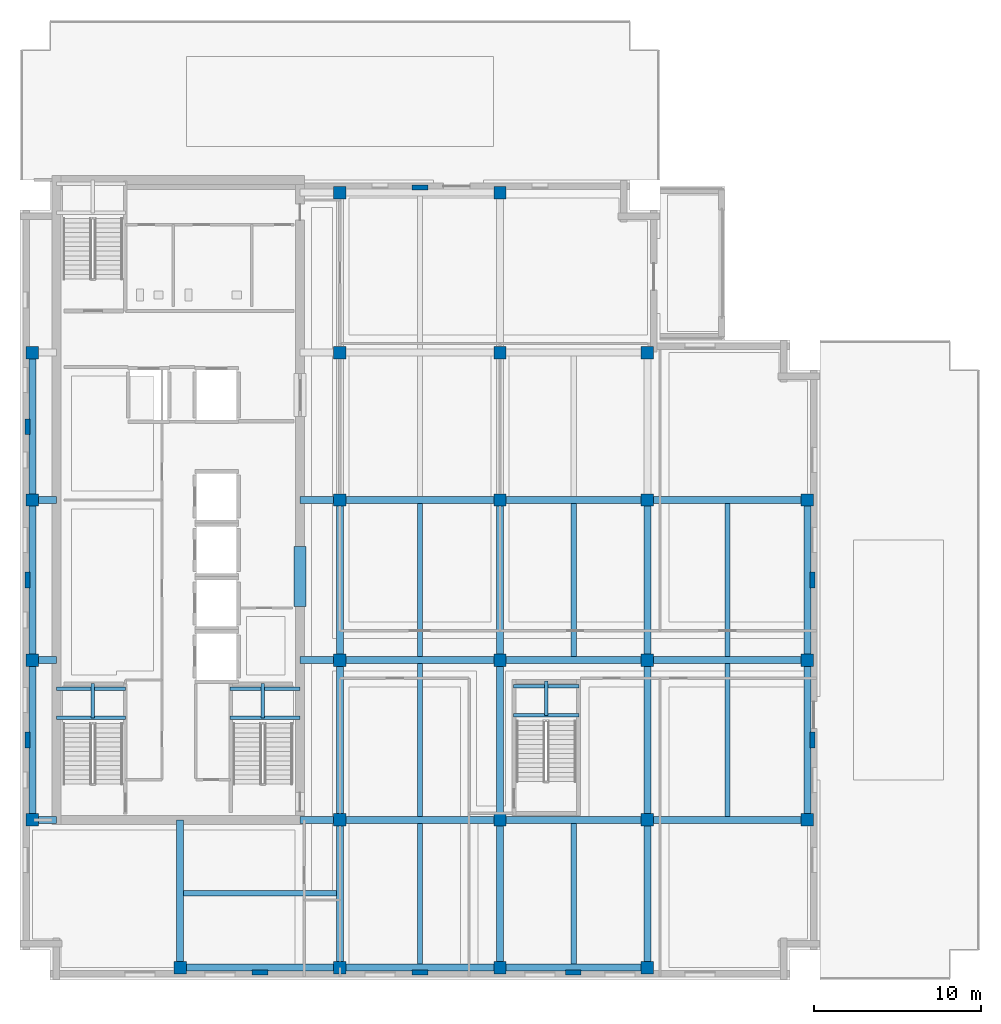
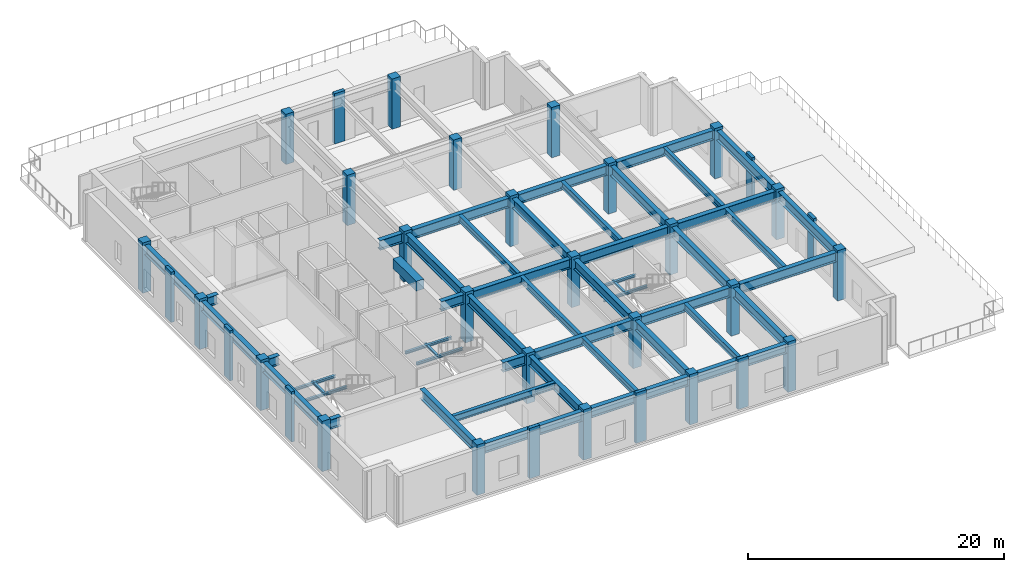
# One storey, part 1 of 11: 51 beams, 34 columns.
"""IFC4 building model written with IfcOpenShell, lengths in metres."""

from ifc_helpers import new_model, si_unit, direction, frame, origin, origin_2d, place, context, subcontext, project, spatial, rectangle, i_section, extrude, material, material_profile, profile_set, type_object, element, save


model = new_model("IFC4")

# Units and contexts
model_context = context("Model", 3, precision=1e-05, world=origin(), true_north=direction((0.0, 1.0)))
body_context = subcontext(model_context, "Body", "Model", "MODEL_VIEW")
ifc_project = project(units=[si_unit("LENGTHUNIT", "METRE"), si_unit("AREAUNIT", "SQUARE_METRE"), si_unit("VOLUMEUNIT", "CUBIC_METRE"), si_unit("PLANEANGLEUNIT", "RADIAN"), si_unit("MASSUNIT", "GRAM", prefix="KILO")], contexts=[model_context])

# Site, building, storey
site_placement = place(None, origin())
site = spatial("IfcSite", under=ifc_project, at=site_placement, CompositionType="ELEMENT")
building_placement = place(site_placement, origin())
building = spatial("IfcBuilding", under=site, at=building_placement, Name="Norrvale University Quadrangle", CompositionType="ELEMENT")
storey_placement = place(building_placement, frame((0.0, 0.0, 261.0)))
storey = spatial("IfcBuildingStorey", under=building, at=storey_placement, Name="L66", CompositionType="ELEMENT", Elevation=261.0)

# Columns
ifc_material_1 = material(Name="Red Manganese Brick Concrete C60/75", Category="concrete")
ifc_material_profile_1 = material_profile(ifc_material_1, rectangle(XDim=0.949951171875, YDim=0.300048828125, at=origin_2d()), Name="Red Manganese Brick Concrete C60/75")
ifc_profile_set_1 = profile_set([ifc_material_profile_1], Name="Red Manganese Brick Concrete C60/75")
column_type_1 = type_object("IfcColumnType", Name="Column Brick Pier 950x300", PredefinedType="PILASTER", material=ifc_profile_set_1)
for number, where, z_axis, x_axis, name in (
    (1, (0.449951171875, 14.39990234375, 0.0), (0.0, 0.0, 1.0), (0.0, 1.0, 0.0), "Exterior Brick Facade Pilaster L66-01"),
    (2, (0.449951171875, 24.0, 0.0), (0.0, 0.0, 1.0), (0.0, 1.0, 0.0), "Exterior Brick Facade Pilaster L66-02"),
    (3, (0.449951171875, 33.199951171875, 0.0), (0.0, 0.0, 1.0), (0.0, 1.0, 0.0), "Exterior Brick Facade Pilaster L66-03"),
    (4, (14.39990234375, 0.449951171875, 0.0), (0.0, 0.0, 1.0), (1.0, 0.0, 0.0), "Exterior Brick Facade Pilaster L66-04"),
    (5, (24.0, 0.449951171875, 0.0), (0.0, 0.0, 1.0), (1.0, 0.0, 0.0), "Exterior Brick Facade Pilaster L66-05"),
    (6, (33.199951171875, 0.449951171875, 0.0), (0.0, 0.0, 1.0), (1.0, 0.0, 0.0), "Exterior Brick Facade Pilaster L66-06"),
    (7, (47.550048828125, 14.39990234375, 0.0), (0.0, 0.0, 1.0), (0.0, 1.0, 0.0), "Exterior Brick Facade Pilaster L66-07"),
    (8, (47.550048828125, 24.0, 0.0), (0.0, 0.0, 1.0), (0.0, 1.0, 0.0), "Exterior Brick Facade Pilaster L66-08"),
    (9, (24.0, 47.550048828125, 0.0), (0.0, 0.0, 1.0), (1.0, 0.0, 0.0), "Exterior Brick Facade Pilaster L66-09"),
):
    element("IfcColumn", number, at=place(storey_placement, frame(where, z_axis=z_axis, x_axis=x_axis)), inside=storey, type_object=column_type_1, Name=name, PredefinedType="PILASTER", context=body_context, shape_type="SweptSolid", body=[
        extrude(rectangle(XDim=0.949951171875, YDim=0.300048828125, at=origin_2d()), origin(), (0.0, 0.0, 1.0), 4.800048828125),
    ])
ifc_material_2 = material(Name="Concrete C60/75", Category="concrete")
ifc_material_profile_2 = material_profile(ifc_material_2, rectangle(XDim=0.75, YDim=0.75, at=origin_2d()), Name="Concrete C60/75")
ifc_profile_set_2 = profile_set([ifc_material_profile_2], Name="Concrete C60/75")
column_type_2 = type_object("IfcColumnType", Name="Column Tower Z4 750x750", PredefinedType="COLUMN", material=ifc_profile_set_2)
for number, where, z_axis, x_axis, name in (
    (10, (0.75, 9.60009765625, 0.0), (0.0, 0.0, 1.0), (1.0, 0.0, 0.0), "Tower Column L66-T01"),
    (11, (0.75, 19.199951171875, 0.0), (0.0, 0.0, 1.0), (1.0, 0.0, 0.0), "Tower Column L66-T02"),
    (12, (0.75, 28.800048828125, 0.0), (0.0, 0.0, 1.0), (1.0, 0.0, 0.0), "Tower Column L66-T03"),
    (13, (0.75, 37.64990234375, 0.0), (0.0, 0.0, 1.0), (1.0, 0.0, 0.0), "Tower Column L66-T04"),
    (14, (9.60009765625, 0.75, 0.0), (0.0, 0.0, 1.0), (1.0, 0.0, 0.0), "Tower Column L66-T05"),
    (15, (19.199951171875, 0.75, 0.0), (0.0, 0.0, 1.0), (1.0, 0.0, 0.0), "Tower Column L66-T06"),
    (16, (19.199951171875, 9.60009765625, 0.0), (0.0, 0.0, 1.0), (1.0, 0.0, 0.0), "Tower Column L66-T07"),
    (17, (19.199951171875, 19.199951171875, 0.0), (0.0, 0.0, 1.0), (1.0, 0.0, 0.0), "Tower Column L66-T08"),
    (18, (19.199951171875, 28.800048828125, 0.0), (0.0, 0.0, 1.0), (1.0, 0.0, 0.0), "Tower Column L66-T09"),
    (19, (19.199951171875, 37.64990234375, 0.0), (0.0, 0.0, 1.0), (1.0, 0.0, 0.0), "Tower Column L66-T10"),
    (20, (19.199951171875, 47.25, 0.0), (0.0, 0.0, 1.0), (1.0, 0.0, 0.0), "Tower Column L66-T11"),
    (21, (28.800048828125, 0.75, 0.0), (0.0, 0.0, 1.0), (1.0, 0.0, 0.0), "Tower Column L66-T12"),
    (22, (28.800048828125, 9.60009765625, 0.0), (0.0, 0.0, 1.0), (1.0, 0.0, 0.0), "Tower Column L66-T13"),
    (23, (28.800048828125, 19.199951171875, 0.0), (0.0, 0.0, 1.0), (1.0, 0.0, 0.0), "Tower Column L66-T14"),
    (24, (28.800048828125, 28.800048828125, 0.0), (0.0, 0.0, 1.0), (1.0, 0.0, 0.0), "Tower Column L66-T15"),
    (25, (28.800048828125, 37.64990234375, 0.0), (0.0, 0.0, 1.0), (1.0, 0.0, 0.0), "Tower Column L66-T16"),
    (26, (28.800048828125, 47.25, 0.0), (0.0, 0.0, 1.0), (1.0, 0.0, 0.0), "Tower Column L66-T17"),
    (27, (37.64990234375, 0.75, 0.0), (0.0, 0.0, 1.0), (1.0, 0.0, 0.0), "Tower Column L66-T18"),
    (28, (37.64990234375, 9.60009765625, 0.0), (0.0, 0.0, 1.0), (1.0, 0.0, 0.0), "Tower Column L66-T19"),
    (29, (37.64990234375, 19.199951171875, 0.0), (0.0, 0.0, 1.0), (1.0, 0.0, 0.0), "Tower Column L66-T20"),
    (30, (37.64990234375, 28.800048828125, 0.0), (0.0, 0.0, 1.0), (1.0, 0.0, 0.0), "Tower Column L66-T21"),
    (31, (37.64990234375, 37.64990234375, 0.0), (0.0, 0.0, 1.0), (1.0, 0.0, 0.0), "Tower Column L66-T22"),
    (32, (47.25, 9.60009765625, 0.0), (0.0, 0.0, 1.0), (1.0, 0.0, 0.0), "Tower Column L66-T23"),
    (33, (47.25, 19.199951171875, 0.0), (0.0, 0.0, 1.0), (1.0, 0.0, 0.0), "Tower Column L66-T24"),
    (34, (47.25, 28.800048828125, 0.0), (0.0, 0.0, 1.0), (1.0, 0.0, 0.0), "Tower Column L66-T25"),
):
    element("IfcColumn", number, at=place(storey_placement, frame(where, z_axis=z_axis, x_axis=x_axis)), inside=storey, type_object=column_type_2, Name=name, PredefinedType="COLUMN", context=body_context, shape_type="SweptSolid", body=[
        extrude(rectangle(XDim=0.75, YDim=0.75, at=origin_2d()), origin(), (0.0, 0.0, 1.0), 4.800048828125),
    ])

# Beams
ifc_material_3 = material(Name="Steel 350W", Category="steel")
ifc_material_profile_3 = material_profile(ifc_material_3, i_section(OverallWidth=0.324951171875, OverallDepth=0.615966796875, WebThickness=0.013916015625, FlangeThickness=0.021484375, FilletRadius=0.01611328125, at=origin_2d()), Name="Steel 350W")
ifc_profile_set_3 = profile_set([ifc_material_profile_3], Name="Steel 350W")
beam_type_1 = type_object("IfcBeamType", Name="Beam Belt W610x174", PredefinedType="BEAM", material=ifc_profile_set_3)
beam_1_placement = place(storey_placement, frame((24.0, 0.958984375, 4.23193359375), z_axis=(0.0, 1.0, 0.0), x_axis=(-1.0, 0.0, 0.0)))
element("IfcBeam", 35, at=beam_1_placement, inside=storey, type_object=beam_type_1, Name="Beam Belt W610x174 BM-L66-J044", PredefinedType="BEAM", context=body_context, shape_type="SweptSolid", body=[
    extrude(i_section(OverallWidth=0.324951171875, OverallDepth=0.615966796875, WebThickness=0.013916015625, FlangeThickness=0.021484375, FilletRadius=0.01611328125, at=origin_2d()), origin(), (0.0, 0.0, 1.0), 8.43212890625),
])
beam_2_placement = place(storey_placement, frame((24.0, 9.80908203125, 4.23193359375), z_axis=(0.0, 1.0, 0.0), x_axis=(-1.0, 0.0, 0.0)))
element("IfcBeam", 36, at=beam_2_placement, inside=storey, type_object=beam_type_1, Name="Beam Belt W610x174 BM-L66-J045", PredefinedType="BEAM", context=body_context, shape_type="SweptSolid", body=[
    extrude(i_section(OverallWidth=0.324951171875, OverallDepth=0.615966796875, WebThickness=0.013916015625, FlangeThickness=0.021484375, FilletRadius=0.01611328125, at=origin_2d()), origin(), (0.0, 0.0, 1.0), 9.181884765625),
])
beam_3_placement = place(storey_placement, frame((24.0, 19.408935546875, 4.23193359375), z_axis=(0.0, 1.0, 0.0), x_axis=(-1.0, 0.0, 0.0)))
element("IfcBeam", 37, at=beam_3_placement, inside=storey, type_object=beam_type_1, Name="Beam Belt W610x174 BM-L66-J046", PredefinedType="BEAM", context=body_context, shape_type="SweptSolid", body=[
    extrude(i_section(OverallWidth=0.324951171875, OverallDepth=0.615966796875, WebThickness=0.013916015625, FlangeThickness=0.021484375, FilletRadius=0.01611328125, at=origin_2d()), origin(), (0.0, 0.0, 1.0), 9.18212890625),
])
beam_4_placement = place(storey_placement, frame((33.22509765625, 0.958984375, 4.23193359375), z_axis=(0.0, 1.0, 0.0), x_axis=(-1.0, 0.0, 0.0)))
element("IfcBeam", 38, at=beam_4_placement, inside=storey, type_object=beam_type_1, Name="Beam Belt W610x174 BM-L66-J049", PredefinedType="BEAM", context=body_context, shape_type="SweptSolid", body=[
    extrude(i_section(OverallWidth=0.324951171875, OverallDepth=0.615966796875, WebThickness=0.013916015625, FlangeThickness=0.021484375, FilletRadius=0.01611328125, at=origin_2d()), origin(), (0.0, 0.0, 1.0), 8.43212890625),
])
beam_5_placement = place(storey_placement, frame((33.22509765625, 19.408935546875, 4.23193359375), z_axis=(0.0, 1.0, 0.0), x_axis=(-1.0, 0.0, 0.0)))
element("IfcBeam", 39, at=beam_5_placement, inside=storey, type_object=beam_type_1, Name="Beam Belt W610x174 BM-L66-J050", PredefinedType="BEAM", context=body_context, shape_type="SweptSolid", body=[
    extrude(i_section(OverallWidth=0.324951171875, OverallDepth=0.615966796875, WebThickness=0.013916015625, FlangeThickness=0.021484375, FilletRadius=0.01611328125, at=origin_2d()), origin(), (0.0, 0.0, 1.0), 9.18212890625),
])
beam_6_placement = place(storey_placement, frame((42.449951171875, 9.80908203125, 4.23193359375), z_axis=(0.0, 1.0, 0.0), x_axis=(-1.0, 0.0, 0.0)))
element("IfcBeam", 40, at=beam_6_placement, inside=storey, type_object=beam_type_1, Name="Beam Belt W610x174 BM-L66-J052", PredefinedType="BEAM", context=body_context, shape_type="SweptSolid", body=[
    extrude(i_section(OverallWidth=0.324951171875, OverallDepth=0.615966796875, WebThickness=0.013916015625, FlangeThickness=0.021484375, FilletRadius=0.01611328125, at=origin_2d()), origin(), (0.0, 0.0, 1.0), 9.181884765625),
])
beam_7_placement = place(storey_placement, frame((42.449951171875, 19.408935546875, 4.23193359375), z_axis=(0.0, 1.0, 0.0), x_axis=(-1.0, 0.0, 0.0)))
element("IfcBeam", 41, at=beam_7_placement, inside=storey, type_object=beam_type_1, Name="Beam Belt W610x174 BM-L66-J053", PredefinedType="BEAM", context=body_context, shape_type="SweptSolid", body=[
    extrude(i_section(OverallWidth=0.324951171875, OverallDepth=0.615966796875, WebThickness=0.013916015625, FlangeThickness=0.021484375, FilletRadius=0.01611328125, at=origin_2d()), origin(), (0.0, 0.0, 1.0), 9.18212890625),
])
beam_8_placement = place(storey_placement, frame((9.80908203125, 5.199951171875, 4.23193359375), z_axis=(1.0, 0.0, 0.0), x_axis=(0.0, 1.0, 0.0)))
element("IfcBeam", 42, at=beam_8_placement, inside=storey, type_object=beam_type_1, Name="Beam Belt W610x174 BM-L66-JCS055", PredefinedType="BEAM", context=body_context, shape_type="SweptSolid", body=[
    extrude(i_section(OverallWidth=0.324951171875, OverallDepth=0.615966796875, WebThickness=0.013916015625, FlangeThickness=0.021484375, FilletRadius=0.01611328125, at=origin_2d()), origin(), (0.0, 0.0, 1.0), 9.181884765625),
])
ifc_material_4 = material(Name="Concrete C80/95", Category="concrete")
ifc_material_profile_4 = material_profile(ifc_material_4, rectangle(XDim=0.699951171875, YDim=0.949951171875, at=origin_2d()), Name="Concrete C80/95")
ifc_profile_set_4 = profile_set([ifc_material_profile_4], Name="Concrete C80/95")
beam_type_2 = type_object("IfcBeamType", Name="Beam Core Link 700x950", PredefinedType="LINTEL", material=ifc_profile_set_4)
beam_9_placement = place(storey_placement, frame((16.800048828125, 22.39990234375, 4.06494140625), z_axis=(0.0, 1.0, 0.0), x_axis=(-1.0, 0.0, 0.0)))
element("IfcBeam", 43, at=beam_9_placement, inside=storey, type_object=beam_type_2, Name="Core Coupling Lintel Beam L66-1", PredefinedType="LINTEL", context=body_context, shape_type="SweptSolid", body=[
    extrude(rectangle(XDim=0.699951171875, YDim=0.949951171875, at=origin_2d()), origin(), (0.0, 0.0, 1.0), 3.60009765625),
])
ifc_material_profile_5 = material_profile(ifc_material_3, i_section(OverallWidth=0.41796875, OverallDepth=0.912109375, WebThickness=0.019287109375, FlangeThickness=0.031982421875, FilletRadius=0.02392578125, at=origin_2d()), Name="Steel 350W")
ifc_profile_set_5 = profile_set([ifc_material_profile_5], Name="Steel 350W")
beam_type_3 = type_object("IfcBeamType", Name="Beam Pool Back W920x342", PredefinedType="BEAM", material=ifc_profile_set_5)
beam_10_placement = place(storey_placement, frame((9.60009765625, 0.75, 4.083984375), z_axis=(1.0, 0.0, 0.0), x_axis=(0.0, 1.0, 0.0)))
element("IfcBeam", 44, at=beam_10_placement, inside=storey, type_object=beam_type_3, Name="Beam Pool Back W920x342 BM-L66-GX001", PredefinedType="BEAM", context=body_context, shape_type="SweptSolid", body=[
    extrude(i_section(OverallWidth=0.41796875, OverallDepth=0.912109375, WebThickness=0.019287109375, FlangeThickness=0.031982421875, FilletRadius=0.02392578125, at=origin_2d()), origin(), (0.0, 0.0, 1.0), 9.599853515625),
])
beam_11_placement = place(storey_placement, frame((19.199951171875, 0.75, 4.083984375), z_axis=(1.0, 0.0, 0.0), x_axis=(0.0, 1.0, 0.0)))
element("IfcBeam", 45, at=beam_11_placement, inside=storey, type_object=beam_type_3, Name="Beam Pool Back W920x342 BM-L66-GX002", PredefinedType="BEAM", context=body_context, shape_type="SweptSolid", body=[
    extrude(i_section(OverallWidth=0.41796875, OverallDepth=0.912109375, WebThickness=0.019287109375, FlangeThickness=0.031982421875, FilletRadius=0.02392578125, at=origin_2d()), origin(), (0.0, 0.0, 1.0), 9.60009765625),
])
beam_12_placement = place(storey_placement, frame((28.800048828125, 0.75, 4.083984375), z_axis=(1.0, 0.0, 0.0), x_axis=(0.0, 1.0, 0.0)))
element("IfcBeam", 46, at=beam_12_placement, inside=storey, type_object=beam_type_3, Name="Beam Pool Back W920x342 BM-L66-GX003", PredefinedType="BEAM", context=body_context, shape_type="SweptSolid", body=[
    extrude(i_section(OverallWidth=0.41796875, OverallDepth=0.912109375, WebThickness=0.019287109375, FlangeThickness=0.031982421875, FilletRadius=0.02392578125, at=origin_2d()), origin(), (0.0, 0.0, 1.0), 8.849853515625),
])
beam_13_placement = place(storey_placement, frame((19.199951171875, 9.60009765625, 4.083984375), z_axis=(1.0, 0.0, 0.0), x_axis=(0.0, 1.0, 0.0)))
element("IfcBeam", 47, at=beam_13_placement, inside=storey, type_object=beam_type_3, Name="Beam Pool Back W920x342 BM-L66-GX004", PredefinedType="BEAM", context=body_context, shape_type="SweptSolid", body=[
    extrude(i_section(OverallWidth=0.41796875, OverallDepth=0.912109375, WebThickness=0.019287109375, FlangeThickness=0.031982421875, FilletRadius=0.02392578125, at=origin_2d()), origin(), (0.0, 0.0, 1.0), 9.60009765625),
])
beam_14_placement = place(storey_placement, frame((28.800048828125, 9.60009765625, 4.083984375), z_axis=(1.0, 0.0, 0.0), x_axis=(0.0, 1.0, 0.0)))
element("IfcBeam", 48, at=beam_14_placement, inside=storey, type_object=beam_type_3, Name="Beam Pool Back W920x342 BM-L66-GX005", PredefinedType="BEAM", context=body_context, shape_type="SweptSolid", body=[
    extrude(i_section(OverallWidth=0.41796875, OverallDepth=0.912109375, WebThickness=0.019287109375, FlangeThickness=0.031982421875, FilletRadius=0.02392578125, at=origin_2d()), origin(), (0.0, 0.0, 1.0), 8.849853515625),
])
for number, where, z_axis, x_axis, name in (
    (49, (37.64990234375, 9.60009765625, 4.083984375), (1.0, 0.0, 0.0), (0.0, 1.0, 0.0), "Beam Pool Back W920x342 BM-L66-GX006"),
    (50, (19.199951171875, 19.199951171875, 4.083984375), (1.0, 0.0, 0.0), (0.0, 1.0, 0.0), "Beam Pool Back W920x342 BM-L66-GX007"),
):
    element("IfcBeam", number, at=place(storey_placement, frame(where, z_axis=z_axis, x_axis=x_axis)), inside=storey, type_object=beam_type_3, Name=name, PredefinedType="BEAM", context=body_context, shape_type="SweptSolid", body=[
        extrude(i_section(OverallWidth=0.41796875, OverallDepth=0.912109375, WebThickness=0.019287109375, FlangeThickness=0.031982421875, FilletRadius=0.02392578125, at=origin_2d()), origin(), (0.0, 0.0, 1.0), 9.60009765625),
    ])
beam_15_placement = place(storey_placement, frame((28.800048828125, 19.199951171875, 4.083984375), z_axis=(1.0, 0.0, 0.0), x_axis=(0.0, 1.0, 0.0)))
element("IfcBeam", 51, at=beam_15_placement, inside=storey, type_object=beam_type_3, Name="Beam Pool Back W920x342 BM-L66-GX008", PredefinedType="BEAM", context=body_context, shape_type="SweptSolid", body=[
    extrude(i_section(OverallWidth=0.41796875, OverallDepth=0.912109375, WebThickness=0.019287109375, FlangeThickness=0.031982421875, FilletRadius=0.02392578125, at=origin_2d()), origin(), (0.0, 0.0, 1.0), 8.849853515625),
])
for number, where, z_axis, x_axis, name in (
    (52, (37.64990234375, 19.199951171875, 4.083984375), (1.0, 0.0, 0.0), (0.0, 1.0, 0.0), "Beam Pool Back W920x342 BM-L66-GX009"),
    (53, (19.199951171875, 28.800048828125, 4.083984375), (1.0, 0.0, 0.0), (0.0, 1.0, 0.0), "Beam Pool Back W920x342 BM-L66-GX010"),
):
    element("IfcBeam", number, at=place(storey_placement, frame(where, z_axis=z_axis, x_axis=x_axis)), inside=storey, type_object=beam_type_3, Name=name, PredefinedType="BEAM", context=body_context, shape_type="SweptSolid", body=[
        extrude(i_section(OverallWidth=0.41796875, OverallDepth=0.912109375, WebThickness=0.019287109375, FlangeThickness=0.031982421875, FilletRadius=0.02392578125, at=origin_2d()), origin(), (0.0, 0.0, 1.0), 9.60009765625),
    ])
beam_16_placement = place(storey_placement, frame((28.800048828125, 28.800048828125, 4.083984375), z_axis=(1.0, 0.0, 0.0), x_axis=(0.0, 1.0, 0.0)))
element("IfcBeam", 54, at=beam_16_placement, inside=storey, type_object=beam_type_3, Name="Beam Pool Back W920x342 BM-L66-GX011", PredefinedType="BEAM", context=body_context, shape_type="SweptSolid", body=[
    extrude(i_section(OverallWidth=0.41796875, OverallDepth=0.912109375, WebThickness=0.019287109375, FlangeThickness=0.031982421875, FilletRadius=0.02392578125, at=origin_2d()), origin(), (0.0, 0.0, 1.0), 8.849853515625),
])
beam_17_placement = place(storey_placement, frame((37.64990234375, 28.800048828125, 4.083984375), z_axis=(1.0, 0.0, 0.0), x_axis=(0.0, 1.0, 0.0)))
element("IfcBeam", 55, at=beam_17_placement, inside=storey, type_object=beam_type_3, Name="Beam Pool Back W920x342 BM-L66-GX012", PredefinedType="BEAM", context=body_context, shape_type="SweptSolid", body=[
    extrude(i_section(OverallWidth=0.41796875, OverallDepth=0.912109375, WebThickness=0.019287109375, FlangeThickness=0.031982421875, FilletRadius=0.02392578125, at=origin_2d()), origin(), (0.0, 0.0, 1.0), 9.60009765625),
])
beam_18_placement = place(storey_placement, frame((0.75, 9.60009765625, 4.083984375), z_axis=(0.0, 1.0, 0.0), x_axis=(-1.0, 0.0, 0.0)))
element("IfcBeam", 56, at=beam_18_placement, inside=storey, type_object=beam_type_3, Name="Beam Pool Back W920x342 BM-L66-GY016", PredefinedType="BEAM", context=body_context, shape_type="SweptSolid", body=[
    extrude(i_section(OverallWidth=0.41796875, OverallDepth=0.912109375, WebThickness=0.019287109375, FlangeThickness=0.031982421875, FilletRadius=0.02392578125, at=origin_2d()), origin(), (0.0, 0.0, 1.0), 9.599853515625),
])
beam_19_placement = place(storey_placement, frame((0.75, 19.199951171875, 4.083984375), z_axis=(0.0, 1.0, 0.0), x_axis=(-1.0, 0.0, 0.0)))
element("IfcBeam", 57, at=beam_19_placement, inside=storey, type_object=beam_type_3, Name="Beam Pool Back W920x342 BM-L66-GY017", PredefinedType="BEAM", context=body_context, shape_type="SweptSolid", body=[
    extrude(i_section(OverallWidth=0.41796875, OverallDepth=0.912109375, WebThickness=0.019287109375, FlangeThickness=0.031982421875, FilletRadius=0.02392578125, at=origin_2d()), origin(), (0.0, 0.0, 1.0), 9.60009765625),
])
beam_20_placement = place(storey_placement, frame((0.75, 28.800048828125, 4.083984375), z_axis=(0.0, 1.0, 0.0), x_axis=(-1.0, 0.0, 0.0)))
element("IfcBeam", 58, at=beam_20_placement, inside=storey, type_object=beam_type_3, Name="Beam Pool Back W920x342 BM-L66-GY018", PredefinedType="BEAM", context=body_context, shape_type="SweptSolid", body=[
    extrude(i_section(OverallWidth=0.41796875, OverallDepth=0.912109375, WebThickness=0.019287109375, FlangeThickness=0.031982421875, FilletRadius=0.02392578125, at=origin_2d()), origin(), (0.0, 0.0, 1.0), 8.849853515625),
])
beam_21_placement = place(storey_placement, frame((19.199951171875, 0.75, 4.083984375), z_axis=(0.0, 1.0, 0.0), x_axis=(-1.0, 0.0, 0.0)))
element("IfcBeam", 59, at=beam_21_placement, inside=storey, type_object=beam_type_3, Name="Beam Pool Back W920x342 BM-L66-GY019", PredefinedType="BEAM", context=body_context, shape_type="SweptSolid", body=[
    extrude(i_section(OverallWidth=0.41796875, OverallDepth=0.912109375, WebThickness=0.019287109375, FlangeThickness=0.031982421875, FilletRadius=0.02392578125, at=origin_2d()), origin(), (0.0, 0.0, 1.0), 8.85009765625),
])
beam_22_placement = place(storey_placement, frame((19.199951171875, 9.60009765625, 4.083984375), z_axis=(0.0, 1.0, 0.0), x_axis=(-1.0, 0.0, 0.0)))
element("IfcBeam", 60, at=beam_22_placement, inside=storey, type_object=beam_type_3, Name="Beam Pool Back W920x342 BM-L66-GY020", PredefinedType="BEAM", context=body_context, shape_type="SweptSolid", body=[
    extrude(i_section(OverallWidth=0.41796875, OverallDepth=0.912109375, WebThickness=0.019287109375, FlangeThickness=0.031982421875, FilletRadius=0.02392578125, at=origin_2d()), origin(), (0.0, 0.0, 1.0), 9.599853515625),
])
beam_23_placement = place(storey_placement, frame((19.199951171875, 19.199951171875, 4.083984375), z_axis=(0.0, 1.0, 0.0), x_axis=(-1.0, 0.0, 0.0)))
element("IfcBeam", 61, at=beam_23_placement, inside=storey, type_object=beam_type_3, Name="Beam Pool Back W920x342 BM-L66-GY021", PredefinedType="BEAM", context=body_context, shape_type="SweptSolid", body=[
    extrude(i_section(OverallWidth=0.41796875, OverallDepth=0.912109375, WebThickness=0.019287109375, FlangeThickness=0.031982421875, FilletRadius=0.02392578125, at=origin_2d()), origin(), (0.0, 0.0, 1.0), 9.60009765625),
])
beam_24_placement = place(storey_placement, frame((28.800048828125, 0.75, 4.083984375), z_axis=(0.0, 1.0, 0.0), x_axis=(-1.0, 0.0, 0.0)))
element("IfcBeam", 62, at=beam_24_placement, inside=storey, type_object=beam_type_3, Name="Beam Pool Back W920x342 BM-L66-GY024", PredefinedType="BEAM", context=body_context, shape_type="SweptSolid", body=[
    extrude(i_section(OverallWidth=0.41796875, OverallDepth=0.912109375, WebThickness=0.019287109375, FlangeThickness=0.031982421875, FilletRadius=0.02392578125, at=origin_2d()), origin(), (0.0, 0.0, 1.0), 8.85009765625),
])
beam_25_placement = place(storey_placement, frame((28.800048828125, 9.60009765625, 4.083984375), z_axis=(0.0, 1.0, 0.0), x_axis=(-1.0, 0.0, 0.0)))
element("IfcBeam", 63, at=beam_25_placement, inside=storey, type_object=beam_type_3, Name="Beam Pool Back W920x342 BM-L66-GY025", PredefinedType="BEAM", context=body_context, shape_type="SweptSolid", body=[
    extrude(i_section(OverallWidth=0.41796875, OverallDepth=0.912109375, WebThickness=0.019287109375, FlangeThickness=0.031982421875, FilletRadius=0.02392578125, at=origin_2d()), origin(), (0.0, 0.0, 1.0), 9.599853515625),
])
beam_26_placement = place(storey_placement, frame((28.800048828125, 19.199951171875, 4.083984375), z_axis=(0.0, 1.0, 0.0), x_axis=(-1.0, 0.0, 0.0)))
element("IfcBeam", 64, at=beam_26_placement, inside=storey, type_object=beam_type_3, Name="Beam Pool Back W920x342 BM-L66-GY026", PredefinedType="BEAM", context=body_context, shape_type="SweptSolid", body=[
    extrude(i_section(OverallWidth=0.41796875, OverallDepth=0.912109375, WebThickness=0.019287109375, FlangeThickness=0.031982421875, FilletRadius=0.02392578125, at=origin_2d()), origin(), (0.0, 0.0, 1.0), 9.60009765625),
])
beam_27_placement = place(storey_placement, frame((37.64990234375, 0.75, 4.083984375), z_axis=(0.0, 1.0, 0.0), x_axis=(-1.0, 0.0, 0.0)))
element("IfcBeam", 65, at=beam_27_placement, inside=storey, type_object=beam_type_3, Name="Beam Pool Back W920x342 BM-L66-GY029", PredefinedType="BEAM", context=body_context, shape_type="SweptSolid", body=[
    extrude(i_section(OverallWidth=0.41796875, OverallDepth=0.912109375, WebThickness=0.019287109375, FlangeThickness=0.031982421875, FilletRadius=0.02392578125, at=origin_2d()), origin(), (0.0, 0.0, 1.0), 8.85009765625),
])
beam_28_placement = place(storey_placement, frame((37.64990234375, 9.60009765625, 4.083984375), z_axis=(0.0, 1.0, 0.0), x_axis=(-1.0, 0.0, 0.0)))
element("IfcBeam", 66, at=beam_28_placement, inside=storey, type_object=beam_type_3, Name="Beam Pool Back W920x342 BM-L66-GY030", PredefinedType="BEAM", context=body_context, shape_type="SweptSolid", body=[
    extrude(i_section(OverallWidth=0.41796875, OverallDepth=0.912109375, WebThickness=0.019287109375, FlangeThickness=0.031982421875, FilletRadius=0.02392578125, at=origin_2d()), origin(), (0.0, 0.0, 1.0), 9.599853515625),
])
beam_29_placement = place(storey_placement, frame((37.64990234375, 19.199951171875, 4.083984375), z_axis=(0.0, 1.0, 0.0), x_axis=(-1.0, 0.0, 0.0)))
element("IfcBeam", 67, at=beam_29_placement, inside=storey, type_object=beam_type_3, Name="Beam Pool Back W920x342 BM-L66-GY031", PredefinedType="BEAM", context=body_context, shape_type="SweptSolid", body=[
    extrude(i_section(OverallWidth=0.41796875, OverallDepth=0.912109375, WebThickness=0.019287109375, FlangeThickness=0.031982421875, FilletRadius=0.02392578125, at=origin_2d()), origin(), (0.0, 0.0, 1.0), 9.60009765625),
])
beam_30_placement = place(storey_placement, frame((47.25, 9.60009765625, 4.083984375), z_axis=(0.0, 1.0, 0.0), x_axis=(-1.0, 0.0, 0.0)))
element("IfcBeam", 68, at=beam_30_placement, inside=storey, type_object=beam_type_3, Name="Beam Pool Back W920x342 BM-L66-GY033", PredefinedType="BEAM", context=body_context, shape_type="SweptSolid", body=[
    extrude(i_section(OverallWidth=0.41796875, OverallDepth=0.912109375, WebThickness=0.019287109375, FlangeThickness=0.031982421875, FilletRadius=0.02392578125, at=origin_2d()), origin(), (0.0, 0.0, 1.0), 9.599853515625),
])
beam_31_placement = place(storey_placement, frame((47.25, 19.199951171875, 4.083984375), z_axis=(0.0, 1.0, 0.0), x_axis=(-1.0, 0.0, 0.0)))
element("IfcBeam", 69, at=beam_31_placement, inside=storey, type_object=beam_type_3, Name="Beam Pool Back W920x342 BM-L66-GY034", PredefinedType="BEAM", context=body_context, shape_type="SweptSolid", body=[
    extrude(i_section(OverallWidth=0.41796875, OverallDepth=0.912109375, WebThickness=0.019287109375, FlangeThickness=0.031982421875, FilletRadius=0.02392578125, at=origin_2d()), origin(), (0.0, 0.0, 1.0), 9.60009765625),
])
beam_32_placement = place(storey_placement, frame((0.75, 9.60009765625, 4.083984375), z_axis=(1.0, 0.0, 0.0), x_axis=(0.0, 1.0, 0.0)))
element("IfcBeam", 70, at=beam_32_placement, inside=storey, type_object=beam_type_3, Name="Beam Pool Back W920x342 BM-L66-GCW035", PredefinedType="BEAM", context=body_context, shape_type="SweptSolid", body=[
    extrude(i_section(OverallWidth=0.41796875, OverallDepth=0.912109375, WebThickness=0.019287109375, FlangeThickness=0.031982421875, FilletRadius=0.02392578125, at=origin_2d()), origin(), (0.0, 0.0, 1.0), 1.449951171875),
])
beam_33_placement = place(storey_placement, frame((16.800048828125, 9.60009765625, 4.083984375), z_axis=(1.0, 0.0, 0.0), x_axis=(0.0, 1.0, 0.0)))
element("IfcBeam", 71, at=beam_33_placement, inside=storey, type_object=beam_type_3, Name="Beam Pool Back W920x342 BM-L66-GCE036", PredefinedType="BEAM", context=body_context, shape_type="SweptSolid", body=[
    extrude(i_section(OverallWidth=0.41796875, OverallDepth=0.912109375, WebThickness=0.019287109375, FlangeThickness=0.031982421875, FilletRadius=0.02392578125, at=origin_2d()), origin(), (0.0, 0.0, 1.0), 2.39990234375),
])
beam_34_placement = place(storey_placement, frame((0.75, 19.199951171875, 4.083984375), z_axis=(1.0, 0.0, 0.0), x_axis=(0.0, 1.0, 0.0)))
element("IfcBeam", 72, at=beam_34_placement, inside=storey, type_object=beam_type_3, Name="Beam Pool Back W920x342 BM-L66-GCW037", PredefinedType="BEAM", context=body_context, shape_type="SweptSolid", body=[
    extrude(i_section(OverallWidth=0.41796875, OverallDepth=0.912109375, WebThickness=0.019287109375, FlangeThickness=0.031982421875, FilletRadius=0.02392578125, at=origin_2d()), origin(), (0.0, 0.0, 1.0), 1.449951171875),
])
beam_35_placement = place(storey_placement, frame((16.800048828125, 19.199951171875, 4.083984375), z_axis=(1.0, 0.0, 0.0), x_axis=(0.0, 1.0, 0.0)))
element("IfcBeam", 73, at=beam_35_placement, inside=storey, type_object=beam_type_3, Name="Beam Pool Back W920x342 BM-L66-GCE038", PredefinedType="BEAM", context=body_context, shape_type="SweptSolid", body=[
    extrude(i_section(OverallWidth=0.41796875, OverallDepth=0.912109375, WebThickness=0.019287109375, FlangeThickness=0.031982421875, FilletRadius=0.02392578125, at=origin_2d()), origin(), (0.0, 0.0, 1.0), 2.39990234375),
])
beam_36_placement = place(storey_placement, frame((0.75, 28.800048828125, 4.083984375), z_axis=(1.0, 0.0, 0.0), x_axis=(0.0, 1.0, 0.0)))
element("IfcBeam", 74, at=beam_36_placement, inside=storey, type_object=beam_type_3, Name="Beam Pool Back W920x342 BM-L66-GCW039", PredefinedType="BEAM", context=body_context, shape_type="SweptSolid", body=[
    extrude(i_section(OverallWidth=0.41796875, OverallDepth=0.912109375, WebThickness=0.019287109375, FlangeThickness=0.031982421875, FilletRadius=0.02392578125, at=origin_2d()), origin(), (0.0, 0.0, 1.0), 1.449951171875),
])
beam_37_placement = place(storey_placement, frame((16.800048828125, 28.800048828125, 4.083984375), z_axis=(1.0, 0.0, 0.0), x_axis=(0.0, 1.0, 0.0)))
element("IfcBeam", 75, at=beam_37_placement, inside=storey, type_object=beam_type_3, Name="Beam Pool Back W920x342 BM-L66-GCE040", PredefinedType="BEAM", context=body_context, shape_type="SweptSolid", body=[
    extrude(i_section(OverallWidth=0.41796875, OverallDepth=0.912109375, WebThickness=0.019287109375, FlangeThickness=0.031982421875, FilletRadius=0.02392578125, at=origin_2d()), origin(), (0.0, 0.0, 1.0), 2.39990234375),
])
beam_38_placement = place(storey_placement, frame((9.60009765625, 0.75, 4.083984375), z_axis=(0.0, 1.0, 0.0), x_axis=(-1.0, 0.0, 0.0)))
element("IfcBeam", 76, at=beam_38_placement, inside=storey, type_object=beam_type_3, Name="Beam Pool Back W920x342 BM-L66-GCS054", PredefinedType="BEAM", context=body_context, shape_type="SweptSolid", body=[
    extrude(i_section(OverallWidth=0.41796875, OverallDepth=0.912109375, WebThickness=0.019287109375, FlangeThickness=0.031982421875, FilletRadius=0.02392578125, at=origin_2d()), origin(), (0.0, 0.0, 1.0), 8.85009765625),
])
ifc_material_profile_6 = material_profile(ifc_material_3, i_section(OverallWidth=0.201904296875, OverallDepth=0.2470703125, WebThickness=0.00732421875, FlangeThickness=0.010986328125, FilletRadius=0.011962890625, at=origin_2d()), Name="Steel 350W")
ifc_profile_set_6 = profile_set([ifc_material_profile_6], Name="Steel 350W")
beam_type_4 = type_object("IfcBeamType", Name="Beam Stair W250x49", PredefinedType="BEAM", material=ifc_profile_set_6)
for number, where, z_axis, x_axis, name in (
    (77, (2.199951171875, 15.72998046875, 2.076416015625), (1.0, 0.0, 0.0), (0.0, 1.0, 0.0), "Stair Mid-Landing Front Beam ST-01 L66"),
    (78, (2.199951171875, 17.469970703125, 2.076416015625), (1.0, 0.0, 0.0), (0.0, 1.0, 0.0), "Stair Mid-Landing Rear Beam ST-01 L66"),
):
    element("IfcBeam", number, at=place(storey_placement, frame(where, z_axis=z_axis, x_axis=x_axis)), inside=storey, type_object=beam_type_4, Name=name, PredefinedType="BEAM", context=body_context, shape_type="SweptSolid", body=[
        extrude(i_section(OverallWidth=0.201904296875, OverallDepth=0.2470703125, WebThickness=0.00732421875, FlangeThickness=0.010986328125, FilletRadius=0.011962890625, at=origin_2d()), origin(), (0.0, 0.0, 1.0), 4.14013671875),
    ])
for number, where, z_axis, x_axis, name in (
    (79, (12.610107421875, 15.72998046875, 2.076416015625), (1.0, 0.0, 0.0), (0.0, 1.0, 0.0), "Stair Mid-Landing Front Beam ST-03 L66"),
    (80, (12.610107421875, 17.469970703125, 2.076416015625), (1.0, 0.0, 0.0), (0.0, 1.0, 0.0), "Stair Mid-Landing Rear Beam ST-03 L66"),
):
    element("IfcBeam", number, at=place(storey_placement, frame(where, z_axis=z_axis, x_axis=x_axis)), inside=storey, type_object=beam_type_4, Name=name, PredefinedType="BEAM", context=body_context, shape_type="SweptSolid", body=[
        extrude(i_section(OverallWidth=0.201904296875, OverallDepth=0.2470703125, WebThickness=0.00732421875, FlangeThickness=0.010986328125, FilletRadius=0.011962890625, at=origin_2d()), origin(), (0.0, 0.0, 1.0), 4.18994140625),
    ])
for number, where, z_axis, x_axis, name in (
    (81, (29.610107421875, 15.8798828125, 2.076416015625), (1.0, 0.0, 0.0), (0.0, 1.0, 0.0), "Stair Mid-Landing Front Beam ST-04 L66"),
    (82, (29.610107421875, 17.6201171875, 2.076416015625), (1.0, 0.0, 0.0), (0.0, 1.0, 0.0), "Stair Mid-Landing Rear Beam ST-04 L66"),
):
    element("IfcBeam", number, at=place(storey_placement, frame(where, z_axis=z_axis, x_axis=x_axis)), inside=storey, type_object=beam_type_4, Name=name, PredefinedType="BEAM", context=body_context, shape_type="SweptSolid", body=[
        extrude(i_section(OverallWidth=0.201904296875, OverallDepth=0.2470703125, WebThickness=0.00732421875, FlangeThickness=0.010986328125, FilletRadius=0.011962890625, at=origin_2d()), origin(), (0.0, 0.0, 1.0), 3.929931640625),
    ])
ifc_material_profile_7 = material_profile(ifc_material_3, i_section(OverallWidth=0.202880859375, OverallDepth=0.202880859375, WebThickness=0.007080078125, FlangeThickness=0.010986328125, FilletRadius=0.010009765625, at=origin_2d()), Name="Steel 350W")
ifc_profile_set_7 = profile_set([ifc_material_profile_7], Name="Steel 350W")
beam_type_5 = type_object("IfcBeamType", Name="Beam Trim W200x46", PredefinedType="BEAM", material=ifc_profile_set_7)
for number, where, z_axis, x_axis, name in (
    (83, (4.375, 15.72998046875, 2.098388671875), (0.0, 1.0, 0.0), (-1.0, 0.0, 0.0), "Stair Mid-Landing Cross Beam ST-01 L66"),
    (84, (14.574951171875, 15.72998046875, 2.098388671875), (0.0, 1.0, 0.0), (-1.0, 0.0, 0.0), "Stair Mid-Landing Cross Beam ST-03 L66"),
    (85, (31.574951171875, 15.8798828125, 2.098388671875), (0.0, 1.0, 0.0), (-1.0, 0.0, 0.0), "Stair Mid-Landing Cross Beam ST-04 L66"),
):
    element("IfcBeam", number, at=place(storey_placement, frame(where, z_axis=z_axis, x_axis=x_axis)), inside=storey, type_object=beam_type_5, Name=name, PredefinedType="BEAM", context=body_context, shape_type="SweptSolid", body=[
        extrude(i_section(OverallWidth=0.202880859375, OverallDepth=0.202880859375, WebThickness=0.007080078125, FlangeThickness=0.010986328125, FilletRadius=0.010009765625, at=origin_2d()), origin(), (0.0, 0.0, 1.0), 2.06005859375),
    ])

save(model, "model.ifc")
